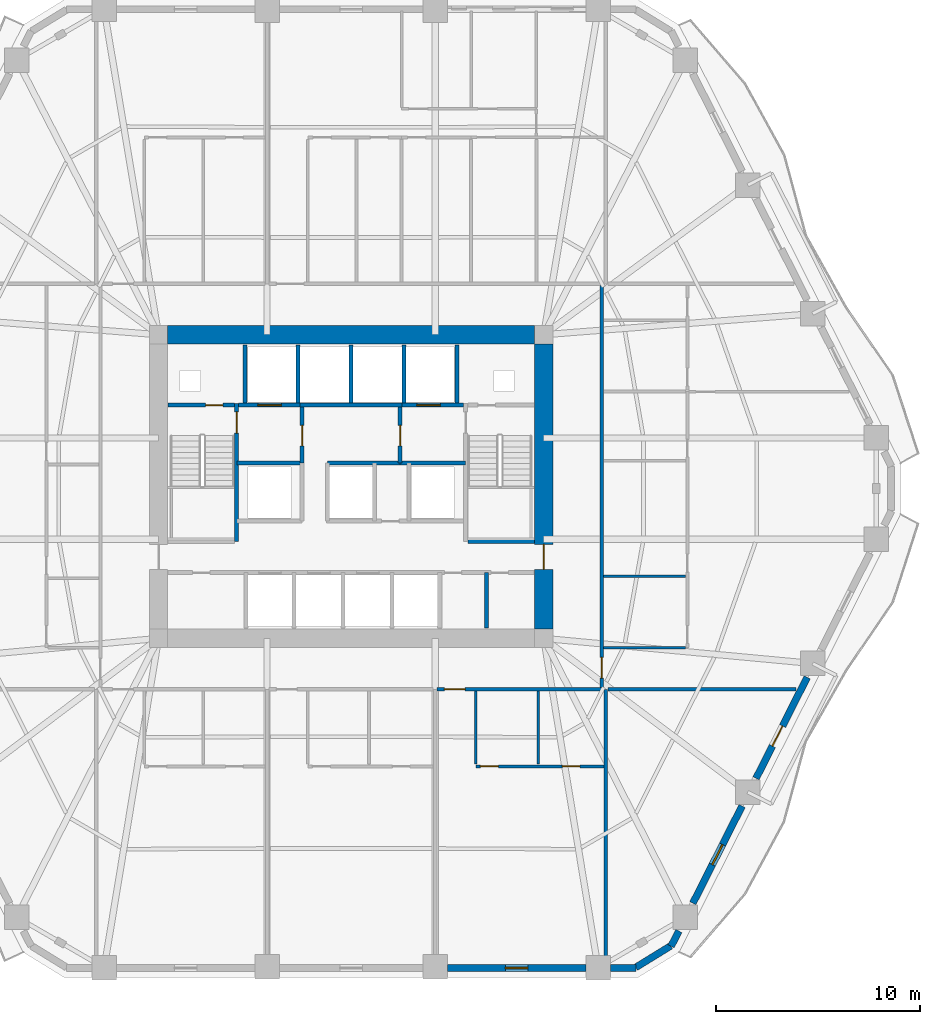
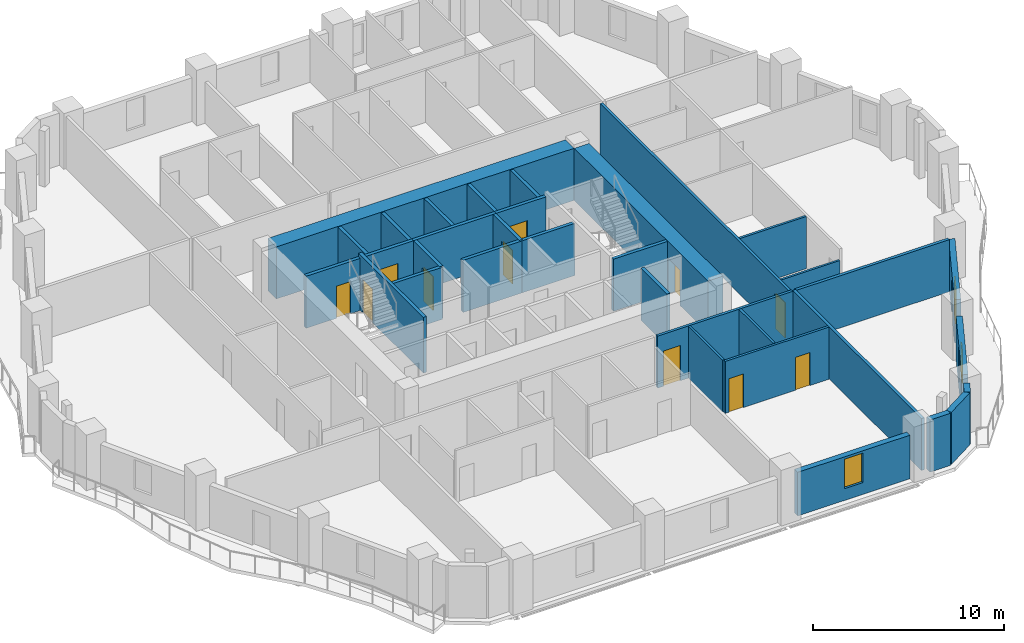
# One storey, part 5 of 11: 34 walls, 12 doors, 2 windows, 14 openings.
"""IFC4 building model written with IfcOpenShell, lengths in metres."""

from ifc_helpers import new_model, si_unit, direction, frame, frame_2d, origin, place, context, subcontext, project, spatial, rectangle, extrude, material, layer, layer_set, type_object, element, fill, save


model = new_model("IFC4")

# Units and contexts
model_context = context("Model", 3, precision=1e-05, world=origin(), true_north=direction((0.0, 1.0)))
body_context = subcontext(model_context, "Body", "Model", "MODEL_VIEW")
ifc_project = project(units=[si_unit("LENGTHUNIT", "METRE"), si_unit("AREAUNIT", "SQUARE_METRE"), si_unit("VOLUMEUNIT", "CUBIC_METRE"), si_unit("PLANEANGLEUNIT", "RADIAN"), si_unit("MASSUNIT", "GRAM", prefix="KILO")], contexts=[model_context])

# Site, building, storey
site_placement = place(None, origin())
site = spatial("IfcSite", under=ifc_project, at=site_placement, CompositionType="ELEMENT")
building_placement = place(site_placement, origin())
building = spatial("IfcBuilding", under=site, at=building_placement, Name="Cinnabar Lancet Tower", CompositionType="ELEMENT")
storey_placement = place(building_placement, frame((0.0, 0.0, 60.39990234375)))
storey = spatial("IfcBuildingStorey", under=building, at=storey_placement, Name="L15", CompositionType="ELEMENT", Elevation=60.39990234375)

# Wall, opening, door
ifc_material_1 = material(Name="Acoustic twin-stud gypsum partition", Category="gypsum")
ifc_layer_1 = layer(ifc_material_1, 0.159912109375)
ifc_layer_set_1 = layer_set([ifc_layer_1], Name="Acoustic twin-stud gypsum partition")
wall_type_1 = type_object("IfcWallType", Name="ARC-WL-CORR-160", PredefinedType="PARTITIONING", material=ifc_layer_set_1)
wall_1_placement = place(storey_placement, frame((36.616943359375, 15.949951171875, 0.0), z_axis=(0.0, 0.0, 1.0), x_axis=(1.0, 0.0, 0.0)))
wall_1 = element("IfcWall", 1, at=wall_1_placement, inside=storey, type_object=wall_type_1, Name="L15 Unit S03 Corridor Wall", PredefinedType="PARTITIONING", context=body_context, shape_type="SweptSolid", body=[
    extrude(rectangle(XDim=8.18798828125, YDim=0.159912109375, at=frame_2d((4.093994140625, 0.0))), origin(), (0.0, 0.0, 1.0), 3.330078125),
])
opening_1_placement = place(wall_1_placement, frame((0.35498046875, 0.0, 0.0)))
opening_1 = element("IfcOpeningElement", 2, at=opening_1_placement, cuts=wall_1, Name="Opening UD-01", PredefinedType="OPENING", context=body_context, shape_type="SweptSolid", body=[
    extrude(rectangle(XDim=1.02001953125, YDim=2.25, at=frame_2d((0.510009765625, 1.125))), frame((0.0, 0.08984375, 0.0), z_axis=(0.0, -1.0, 0.0), x_axis=(1.0, 0.0, 0.0)), (0.0, 0.0, 1.0), 0.179931640625),
])
ifc_material_2 = material(Name="Solid timber fire-rated apartment entrance door", Category="wood")
door_type_1 = type_object("IfcDoorType", Name="ARC-DR-UNIT", OperationType="NOTDEFINED", PredefinedType="DOOR", material=ifc_material_2)
door_1_placement = place(opening_1_placement, origin())
door_1 = element("IfcDoor", 3, at=door_1_placement, inside=storey, type_object=door_type_1, Name="DR-L15-S03-ENT", OperationType="SINGLE_SWING_RIGHT", OverallHeight=2.25, OverallWidth=1.02001953125, PredefinedType="DOOR", context=body_context, shape_type="SweptSolid", body=[
    extrude(rectangle(XDim=1.02001953125, YDim=2.25, at=frame_2d((0.510009765625, 1.125))), frame((0.0, 0.02490234375, 0.0), z_axis=(0.0, -1.0, 0.0), x_axis=(1.0, 0.0, 0.0)), (0.0, 0.0, 1.0), 0.050048828125),
])
fill(opening_1, door_1)

wall_2_placement = place(storey_placement, frame((44.699951171875, 16.044921875, 0.0), z_axis=(0.0, 0.0, 1.0), x_axis=(0.0, 1.0, 0.0)))
wall_2 = element("IfcWall", 4, at=wall_2_placement, inside=storey, type_object=wall_type_1, Name="UW-L15-E01-COR", PredefinedType="PARTITIONING", context=body_context, shape_type="SweptSolid", body=[
    extrude(rectangle(XDim=19.7099609375, YDim=0.159912109375, at=frame_2d((9.85498046875, 0.0))), origin(), (0.0, 0.0, 1.0), 3.330078125),
])
opening_2_placement = place(wall_2_placement, frame((0.449951171875, 0.0, 0.0)))
opening_2 = element("IfcOpeningElement", 5, at=opening_2_placement, cuts=wall_2, Name="Opening UD-01", PredefinedType="OPENING", context=body_context, shape_type="SweptSolid", body=[
    extrude(rectangle(XDim=1.02001953125, YDim=2.25, at=frame_2d((0.510009765625, 1.125))), frame((0.0, 0.08984375, 0.0), z_axis=(0.0, -1.0, 0.0), x_axis=(1.0, 0.0, 0.0)), (0.0, 0.0, 1.0), 0.179931640625),
])
door_2_placement = place(opening_2_placement, origin())
door_2 = element("IfcDoor", 6, at=door_2_placement, inside=storey, type_object=door_type_1, Name="DR-L15-E01-ENT", OperationType="SINGLE_SWING_LEFT", OverallHeight=2.25, OverallWidth=1.02001953125, PredefinedType="DOOR", context=body_context, shape_type="SweptSolid", body=[
    extrude(rectangle(XDim=1.02001953125, YDim=2.25, at=frame_2d((0.510009765625, 1.125))), frame((0.0, 0.02490234375, 0.0), z_axis=(0.0, -1.0, 0.0), x_axis=(1.0, 0.0, 0.0)), (0.0, 0.0, 1.0), 0.050048828125),
])
fill(opening_2, door_2)

# Walls
ifc_material_3 = material(Name="Fire-rated twin-frame acoustic drywall", Category="gypsum")
ifc_layer_2 = layer(ifc_material_3, 0.179931640625)
ifc_layer_set_2 = layer_set([ifc_layer_2], Name="Fire-rated twin-frame acoustic drywall")
wall_type_2 = type_object("IfcWallType", Name="ARC-WL-PARTY-180", PredefinedType="PARTITIONING", material=ifc_layer_set_2)
wall_3_placement = place(storey_placement, frame((44.89990234375, 2.455078125, 0.0), z_axis=(0.0, 0.0, 1.0), x_axis=(0.0, 1.0, 0.0)))
element("IfcWall", 7, at=wall_3_placement, inside=storey, type_object=wall_type_2, Name="PW-L15-SPTY-449", PredefinedType="PARTITIONING", context=body_context, shape_type="SweptSolid", body=[
    extrude(rectangle(XDim=13.494873046875, YDim=0.179931640625, at=frame_2d((6.74755859375, 0.0))), origin(), (0.0, 0.0, 1.0), 3.330078125),
])
wall_4_placement = place(storey_placement, frame((44.9951171875, 15.949951171875, 0.0), z_axis=(0.0, 0.0, 1.0), x_axis=(1.0, 0.0, 0.0)))
element("IfcWall", 8, at=wall_4_placement, inside=storey, type_object=wall_type_2, Name="PW-L15-ESB", PredefinedType="PARTITIONING", context=body_context, shape_type="SweptSolid", body=[
    extrude(rectangle(XDim=9.240966796875, YDim=0.179931640625, at=frame_2d((4.62060546875, 0.0))), origin(), (0.0, 0.0, 1.0), 3.330078125),
])
ifc_material_4 = material(Name="Autoclaved aerated concrete blockwork", Category="masonry")
ifc_layer_3 = layer(ifc_material_4, 0.199951171875)
ifc_layer_set_3 = layer_set([ifc_layer_3], Name="Autoclaved aerated concrete blockwork")
wall_type_3 = type_object("IfcWallType", Name="ARC-WL-SHAFT-200", PredefinedType="PLUMBINGWALL", material=ifc_layer_set_3)
wall_5_placement = place(storey_placement, frame((38.125, 23.199951171875, 0.0), z_axis=(0.0, 0.0, 1.0), x_axis=(1.0, 0.0, 0.0)))
element("IfcWall", 9, at=wall_5_placement, inside=storey, type_object=wall_type_3, Name="CW-ST2S-L15", PredefinedType="PLUMBINGWALL", context=body_context, shape_type="SweptSolid", body=[
    extrude(rectangle(XDim=3.27001953125, YDim=0.199951171875, at=frame_2d((1.635009765625, 0.0))), origin(), (0.0, 0.0, 1.0), 3.330078125),
])

# Wall, opening, door
wall_6_placement = place(storey_placement, frame((23.405029296875, 29.89990234375, 0.0), z_axis=(0.0, 0.0, 1.0), x_axis=(1.0, 0.0, 0.0)))
wall_6 = element("IfcWall", 10, at=wall_6_placement, inside=storey, type_object=wall_type_3, Name="CW-NSH-W-L15", PredefinedType="PLUMBINGWALL", context=body_context, shape_type="SweptSolid", body=[
    extrude(rectangle(XDim=3.27001953125, YDim=0.199951171875, at=frame_2d((1.635009765625, 0.0))), origin(), (0.0, 0.0, 1.0), 3.330078125),
])
opening_3_placement = place(wall_6_placement, frame((1.85009765625, 0.0, 0.0)))
opening_3 = element("IfcOpeningElement", 11, at=opening_3_placement, cuts=wall_6, Name="Opening PD-02", PredefinedType="OPENING", context=body_context, shape_type="SweptSolid", body=[
    extrude(rectangle(XDim=0.85009765625, YDim=2.050048828125, at=frame_2d((0.425048828125, 1.02490234375))), frame((0.0, 0.10986328125, 0.0), z_axis=(0.0, -1.0, 0.0), x_axis=(1.0, 0.0, 0.0)), (0.0, 0.0, 1.0), 0.219970703125),
])
ifc_material_5 = material(Name="Fire-rated steel riser access door", Category="steel")
door_type_2 = type_object("IfcDoorType", Name="ARC-DR-RISER", OperationType="NOTDEFINED", PredefinedType="DOOR", material=ifc_material_5)
door_3_placement = place(opening_3_placement, origin())
door_3 = element("IfcDoor", 12, at=door_3_placement, inside=storey, type_object=door_type_2, Name="L15 West Riser Access Door", OperationType="SINGLE_SWING_LEFT", OverallHeight=2.050048828125, OverallWidth=0.85009765625, PredefinedType="DOOR", context=body_context, shape_type="SweptSolid", body=[
    extrude(rectangle(XDim=0.85009765625, YDim=2.050048828125, at=frame_2d((0.425048828125, 1.02490234375))), frame((0.0, 0.02490234375, 0.0), z_axis=(0.0, -1.0, 0.0), x_axis=(1.0, 0.0, 0.0)), (0.0, 0.0, 1.0), 0.050048828125),
])
fill(opening_3, door_3)

wall_7_placement = place(storey_placement, frame((26.885009765625, 29.89990234375, 0.0), z_axis=(0.0, 0.0, 1.0), x_axis=(1.0, 0.0, 0.0)))
wall_7 = element("IfcWall", 13, at=wall_7_placement, inside=storey, type_object=wall_type_3, Name="CW-FL1-L15", PredefinedType="PLUMBINGWALL", context=body_context, shape_type="SweptSolid", body=[
    extrude(rectangle(XDim=3.014892578125, YDim=0.199951171875, at=frame_2d((1.50732421875, 0.0))), origin(), (0.0, 0.0, 1.0), 3.330078125),
])
opening_4_placement = place(wall_7_placement, frame((0.93994140625, 0.0, 0.0)))
opening_4 = element("IfcOpeningElement", 14, at=opening_4_placement, cuts=wall_7, Name="Opening LD-02", PredefinedType="OPENING", context=body_context, shape_type="SweptSolid", body=[
    extrude(rectangle(XDim=1.14990234375, YDim=2.199951171875, at=frame_2d((0.574951171875, 1.10009765625))), frame((0.0, 0.10986328125, 0.0), z_axis=(0.0, -1.0, 0.0), x_axis=(1.0, 0.0, 0.0)), (0.0, 0.0, 1.0), 0.219970703125),
])
ifc_material_6 = material(Name="Fire-rated stainless steel firefighting lift landing door", Category="steel")
door_type_3 = type_object("IfcDoorType", Name="ARC-DR-LD-FIRE", OperationType="NOTDEFINED", PredefinedType="DOOR", material=ifc_material_6)
door_4_placement = place(opening_4_placement, origin())
door_4 = element("IfcDoor", 15, at=door_4_placement, inside=storey, type_object=door_type_3, Name="L15 Firefighting Lift FL-1 Landing Door", OperationType="DOUBLE_DOOR_SLIDING", OverallHeight=2.199951171875, OverallWidth=1.14990234375, PredefinedType="DOOR", context=body_context, shape_type="SweptSolid", body=[
    extrude(rectangle(XDim=1.14990234375, YDim=2.199951171875, at=frame_2d((0.574951171875, 1.10009765625))), frame((0.0, 0.02490234375, 0.0), z_axis=(0.0, -1.0, 0.0), x_axis=(1.0, 0.0, 0.0)), (0.0, 0.0, 1.0), 0.050048828125),
])
fill(opening_4, door_4)

# Wall
wall_8_placement = place(storey_placement, frame((29.89990234375, 29.89990234375, 0.0), z_axis=(0.0, 0.0, 1.0), x_axis=(1.0, 0.0, 0.0)))
element("IfcWall", 16, at=wall_8_placement, inside=storey, type_object=wall_type_3, Name="CW-PL78-L15", PredefinedType="PLUMBINGWALL", context=body_context, shape_type="SweptSolid", body=[
    extrude(rectangle(XDim=5.0, YDim=0.199951171875, at=frame_2d((2.5, 0.0))), origin(), (0.0, 0.0, 1.0), 3.330078125),
])

# Wall, opening, door
wall_9_placement = place(storey_placement, frame((34.89990234375, 29.89990234375, 0.0), z_axis=(0.0, 0.0, 1.0), x_axis=(1.0, 0.0, 0.0)))
wall_9 = element("IfcWall", 17, at=wall_9_placement, inside=storey, type_object=wall_type_3, Name="CW-FL2-L15", PredefinedType="PLUMBINGWALL", context=body_context, shape_type="SweptSolid", body=[
    extrude(rectangle(XDim=3.01513671875, YDim=0.199951171875, at=frame_2d((1.507568359375, 0.0))), origin(), (0.0, 0.0, 1.0), 3.330078125),
])
opening_5_placement = place(wall_9_placement, frame((0.72509765625, 0.0, 0.0)))
opening_5 = element("IfcOpeningElement", 18, at=opening_5_placement, cuts=wall_9, Name="Opening LD-02", PredefinedType="OPENING", context=body_context, shape_type="SweptSolid", body=[
    extrude(rectangle(XDim=1.14990234375, YDim=2.199951171875, at=frame_2d((0.574951171875, 1.10009765625))), frame((0.0, 0.10986328125, 0.0), z_axis=(0.0, -1.0, 0.0), x_axis=(1.0, 0.0, 0.0)), (0.0, 0.0, 1.0), 0.219970703125),
])
door_5_placement = place(opening_5_placement, origin())
door_5 = element("IfcDoor", 19, at=door_5_placement, inside=storey, type_object=door_type_3, Name="L15 Firefighting Lift FL-2 Landing Door", OperationType="DOUBLE_DOOR_SLIDING", OverallHeight=2.199951171875, OverallWidth=1.14990234375, PredefinedType="DOOR", context=body_context, shape_type="SweptSolid", body=[
    extrude(rectangle(XDim=1.14990234375, YDim=2.199951171875, at=frame_2d((0.574951171875, 1.10009765625))), frame((0.0, 0.02490234375, 0.0), z_axis=(0.0, -1.0, 0.0), x_axis=(1.0, 0.0, 0.0)), (0.0, 0.0, 1.0), 0.050048828125),
])
fill(opening_5, door_5)

# Walls
for number, where, z_axis, x_axis, name in (
    (20, (27.199951171875, 30.0, 0.0), (0.0, 0.0, 1.0), (0.0, 1.0, 0.0), "CW-NSH-D1-L15"),
    (21, (29.800048828125, 30.0, 0.0), (0.0, 0.0, 1.0), (0.0, 1.0, 0.0), "CW-NSH-D2-L15"),
    (22, (32.39990234375, 30.0, 0.0), (0.0, 0.0, 1.0), (0.0, 1.0, 0.0), "CW-NSH-D3-L15"),
    (23, (35.0, 30.0, 0.0), (0.0, 0.0, 1.0), (0.0, 1.0, 0.0), "CW-NSH-D4-L15"),
    (24, (37.60009765625, 30.0, 0.0), (0.0, 0.0, 1.0), (0.0, 1.0, 0.0), "CW-NSH-D5-L15"),
):
    element("IfcWall", number, at=place(storey_placement, frame(where, z_axis=z_axis, x_axis=x_axis)), inside=storey, type_object=wall_type_3, Name=name, PredefinedType="PLUMBINGWALL", context=body_context, shape_type="SweptSolid", body=[
        extrude(rectangle(XDim=2.85009765625, YDim=0.199951171875, at=frame_2d((1.425048828125, 0.0))), origin(), (0.0, 0.0, 1.0), 3.330078125),
    ])

# Wall, opening, door
wall_10_placement = place(storey_placement, frame((30.0, 27.050048828125, 0.0), z_axis=(0.0, 0.0, 1.0), x_axis=(0.0, 1.0, 0.0)))
wall_10 = element("IfcWall", 25, at=wall_10_placement, inside=storey, type_object=wall_type_3, Name="CW-FF1E-L15", PredefinedType="PLUMBINGWALL", context=body_context, shape_type="SweptSolid", body=[
    extrude(rectangle(XDim=2.75, YDim=0.199951171875, at=frame_2d((1.375, 0.0))), origin(), (0.0, 0.0, 1.0), 3.330078125),
])
opening_6_placement = place(wall_10_placement, frame((0.85009765625, 0.0, 0.0)))
opening_6 = element("IfcOpeningElement", 26, at=opening_6_placement, cuts=wall_10, Name="Opening FD-01", PredefinedType="OPENING", context=body_context, shape_type="SweptSolid", body=[
    extrude(rectangle(XDim=1.0, YDim=2.14990234375, at=frame_2d((0.5, 1.074951171875))), frame((0.0, 0.10986328125, 0.0), z_axis=(0.0, -1.0, 0.0), x_axis=(1.0, 0.0, 0.0)), (0.0, 0.0, 1.0), 0.219970703125),
])
ifc_material_7 = material(Name="Fire-rated timber-core lobby door", Category="wood")
door_type_4 = type_object("IfcDoorType", Name="ARC-DR-FFAL", OperationType="NOTDEFINED", PredefinedType="DOOR", material=ifc_material_7)
door_6_placement = place(opening_6_placement, origin())
door_6 = element("IfcDoor", 27, at=door_6_placement, inside=storey, type_object=door_type_4, Name="L15 FFAL-1 Lobby Fire Door", OperationType="SINGLE_SWING_RIGHT", OverallHeight=2.14990234375, OverallWidth=1.0, PredefinedType="DOOR", context=body_context, shape_type="SweptSolid", body=[
    extrude(rectangle(XDim=1.0, YDim=2.14990234375, at=frame_2d((0.5, 1.074951171875))), frame((0.0, 0.02490234375, 0.0), z_axis=(0.0, -1.0, 0.0), x_axis=(1.0, 0.0, 0.0)), (0.0, 0.0, 1.0), 0.050048828125),
])
fill(opening_6, door_6)

# Wall
wall_11_placement = place(storey_placement, frame((26.800048828125, 27.050048828125, 0.0), z_axis=(0.0, 0.0, 1.0), x_axis=(1.0, 0.0, 0.0)))
element("IfcWall", 28, at=wall_11_placement, inside=storey, type_object=wall_type_3, Name="CW-FF1S-L15", PredefinedType="PLUMBINGWALL", context=body_context, shape_type="SweptSolid", body=[
    extrude(rectangle(XDim=3.199951171875, YDim=0.199951171875, at=frame_2d((1.60009765625, 0.0))), origin(), (0.0, 0.0, 1.0), 3.330078125),
])

# Wall, opening, door
wall_12_placement = place(storey_placement, frame((34.800048828125, 27.050048828125, 0.0), z_axis=(0.0, 0.0, 1.0), x_axis=(0.0, 1.0, 0.0)))
wall_12 = element("IfcWall", 29, at=wall_12_placement, inside=storey, type_object=wall_type_3, Name="CW-FF2W-L15", PredefinedType="PLUMBINGWALL", context=body_context, shape_type="SweptSolid", body=[
    extrude(rectangle(XDim=2.75, YDim=0.199951171875, at=frame_2d((1.375, 0.0))), origin(), (0.0, 0.0, 1.0), 3.330078125),
])
opening_7_placement = place(wall_12_placement, frame((0.85009765625, 0.0, 0.0)))
opening_7 = element("IfcOpeningElement", 30, at=opening_7_placement, cuts=wall_12, Name="Opening FD-01", PredefinedType="OPENING", context=body_context, shape_type="SweptSolid", body=[
    extrude(rectangle(XDim=1.0, YDim=2.14990234375, at=frame_2d((0.5, 1.074951171875))), frame((0.0, 0.10986328125, 0.0), z_axis=(0.0, -1.0, 0.0), x_axis=(1.0, 0.0, 0.0)), (0.0, 0.0, 1.0), 0.219970703125),
])
door_7_placement = place(opening_7_placement, origin())
door_7 = element("IfcDoor", 31, at=door_7_placement, inside=storey, type_object=door_type_4, Name="L15 FFAL-2 Lobby Fire Door", OperationType="SINGLE_SWING_LEFT", OverallHeight=2.14990234375, OverallWidth=1.0, PredefinedType="DOOR", context=body_context, shape_type="SweptSolid", body=[
    extrude(rectangle(XDim=1.0, YDim=2.14990234375, at=frame_2d((0.5, 1.074951171875))), frame((0.0, 0.02490234375, 0.0), z_axis=(0.0, -1.0, 0.0), x_axis=(1.0, 0.0, 0.0)), (0.0, 0.0, 1.0), 0.050048828125),
])
fill(opening_7, door_7)

# Walls
wall_13_placement = place(storey_placement, frame((34.800048828125, 27.050048828125, 0.0), z_axis=(0.0, 0.0, 1.0), x_axis=(1.0, 0.0, 0.0)))
element("IfcWall", 32, at=wall_13_placement, inside=storey, type_object=wall_type_3, Name="CW-FF2S-L15", PredefinedType="PLUMBINGWALL", context=body_context, shape_type="SweptSolid", body=[
    extrude(rectangle(XDim=3.199951171875, YDim=0.199951171875, at=frame_2d((1.60009765625, 0.0))), origin(), (0.0, 0.0, 1.0), 3.330078125),
])
wall_14_placement = place(storey_placement, frame((31.25, 27.050048828125, 0.0), z_axis=(0.0, 0.0, 1.0), x_axis=(1.0, 0.0, 0.0)))
element("IfcWall", 33, at=wall_14_placement, inside=storey, type_object=wall_type_3, Name="CW-PL96N-L15", PredefinedType="PLUMBINGWALL", context=body_context, shape_type="SweptSolid", body=[
    extrude(rectangle(XDim=3.550048828125, YDim=0.199951171875, at=frame_2d((1.77490234375, 0.0))), origin(), (0.0, 0.0, 1.0), 3.330078125),
])
wall_15_placement = place(storey_placement, frame((39.050048828125, 18.949951171875, 0.0), z_axis=(0.0, 0.0, 1.0), x_axis=(0.0, 1.0, 0.0)))
element("IfcWall", 34, at=wall_15_placement, inside=storey, type_object=wall_type_3, Name="CW-SB-SE-L15", PredefinedType="PLUMBINGWALL", context=body_context, shape_type="SweptSolid", body=[
    extrude(rectangle(XDim=2.72998046875, YDim=0.199951171875, at=frame_2d((1.364990234375, 0.0))), origin(), (0.0, 0.0, 1.0), 3.330078125),
])
ifc_material_8 = material(Name="Gypsum plasterboard stud partition", Category="gypsum")
ifc_layer_4 = layer(ifc_material_8, 0.125)
ifc_layer_set_4 = layer_set([ifc_layer_4], Name="Gypsum plasterboard stud partition")
wall_type_4 = type_object("IfcWallType", Name="ARC-WL-UNIT-125", PredefinedType="PARTITIONING", material=ifc_layer_set_4)
wall_16_placement = place(storey_placement, frame((38.52197265625, 12.27587890625, 0.0), z_axis=(0.0, 0.0, 1.0), x_axis=(0.0, 1.0, 0.0)))
element("IfcWall", 35, at=wall_16_placement, inside=storey, type_object=wall_type_4, Name="UW-L15-S03-FOYE", PredefinedType="PARTITIONING", context=body_context, shape_type="SweptSolid", body=[
    extrude(rectangle(XDim=3.589111328125, YDim=0.125, at=frame_2d((1.79443359375, 0.0))), origin(), (0.0, 0.0, 1.0), 3.330078125),
])
wall_17_placement = place(storey_placement, frame((44.784912109375, 18.0, 0.0), z_axis=(0.0, 0.0, 1.0), x_axis=(1.0, 0.0, 0.0)))
element("IfcWall", 36, at=wall_17_placement, inside=storey, type_object=wall_type_4, Name="UW-L15-E01-FOYN", PredefinedType="PARTITIONING", context=body_context, shape_type="SweptSolid", body=[
    extrude(rectangle(XDim=4.030029296875, YDim=0.125, at=frame_2d((2.01513671875, 0.0))), origin(), (0.0, 0.0, 1.0), 2.635986328125),
])

# Wall, openings, doors
ifc_material_9 = material(Name="Moisture-resistant cement-board plumbing wall", Category="masonry")
ifc_layer_5 = layer(ifc_material_9, 0.139892578125)
ifc_layer_set_5 = layer_set([ifc_layer_5], Name="Moisture-resistant cement-board plumbing wall")
wall_type_5 = type_object("IfcWallType", Name="ARC-WL-WET-140", PredefinedType="PLUMBINGWALL", material=ifc_layer_set_5)
wall_18_placement = place(storey_placement, frame((38.52197265625, 12.1708984375, 0.0), z_axis=(0.0, 0.0, 1.0), x_axis=(1.0, 0.0, 0.0)))
wall_18 = element("IfcWall", 37, at=wall_18_placement, inside=storey, type_object=wall_type_5, Name="UW-L15-S03-SPL", PredefinedType="PLUMBINGWALL", context=body_context, shape_type="SweptSolid", body=[
    extrude(rectangle(XDim=6.282958984375, YDim=0.139892578125, at=frame_2d((3.1416015625, 0.0))), origin(), (0.0, 0.0, 1.0), 3.330078125),
])
opening_8_placement = place(wall_18_placement, frame((4.2470703125, 0.0, 0.0)))
opening_8 = element("IfcOpeningElement", 38, at=opening_8_placement, cuts=wall_18, Name="Opening BD-01", PredefinedType="OPENING", context=body_context, shape_type="SweptSolid", body=[
    extrude(rectangle(XDim=0.860107421875, YDim=2.10009765625, at=frame_2d((0.43017578125, 1.050048828125))), frame((0.0, 0.079833984375, 0.0), z_axis=(0.0, -1.0, 0.0), x_axis=(1.0, 0.0, 0.0)), (0.0, 0.0, 1.0), 0.159912109375),
])
opening_9_placement = place(wall_18_placement, frame((0.219970703125, 0.0, 0.0)))
opening_9 = element("IfcOpeningElement", 39, at=opening_9_placement, cuts=wall_18, Name="Opening RD-02", PredefinedType="OPENING", context=body_context, shape_type="SweptSolid", body=[
    extrude(rectangle(XDim=0.8798828125, YDim=2.14990234375, at=frame_2d((0.43994140625, 1.074951171875))), frame((0.0, 0.079833984375, 0.0), z_axis=(0.0, -1.0, 0.0), x_axis=(1.0, 0.0, 0.0)), (0.0, 0.0, 1.0), 0.159912109375),
])
ifc_material_10 = material(Name="Moisture-resistant timber bathroom door", Category="wood")
door_type_5 = type_object("IfcDoorType", Name="ARC-DR-BATH", OperationType="NOTDEFINED", PredefinedType="DOOR", material=ifc_material_10)
door_8_placement = place(opening_8_placement, origin())
door_8 = element("IfcDoor", 40, at=door_8_placement, inside=storey, type_object=door_type_5, Name="DR-L15-S03-BTH", OperationType="SINGLE_SWING_RIGHT", OverallHeight=2.10009765625, OverallWidth=0.860107421875, PredefinedType="DOOR", context=body_context, shape_type="SweptSolid", body=[
    extrude(rectangle(XDim=0.860107421875, YDim=2.10009765625, at=frame_2d((0.43017578125, 1.050048828125))), frame((0.0, 0.02490234375, 0.0), z_axis=(0.0, -1.0, 0.0), x_axis=(1.0, 0.0, 0.0)), (0.0, 0.0, 1.0), 0.050048828125),
])
fill(opening_8, door_8)
ifc_material_11 = material(Name="Engineered timber study door", Category="wood")
door_type_6 = type_object("IfcDoorType", Name="ARC-DR-STUDY", OperationType="NOTDEFINED", PredefinedType="DOOR", material=ifc_material_11)
door_9_placement = place(opening_9_placement, origin())
door_9 = element("IfcDoor", 41, at=door_9_placement, inside=storey, type_object=door_type_6, Name="DR-L15-S03-KIT", OperationType="SINGLE_SWING_LEFT", OverallHeight=2.14990234375, OverallWidth=0.8798828125, PredefinedType="DOOR", context=body_context, shape_type="SweptSolid", body=[
    extrude(rectangle(XDim=0.8798828125, YDim=2.14990234375, at=frame_2d((0.43994140625, 1.074951171875))), frame((0.0, 0.02490234375, 0.0), z_axis=(0.0, -1.0, 0.0), x_axis=(1.0, 0.0, 0.0)), (0.0, 0.0, 1.0), 0.050048828125),
])
fill(opening_9, door_9)

# Walls
wall_19_placement = place(storey_placement, frame((41.5830078125, 12.27587890625, 0.0), z_axis=(0.0, 0.0, 1.0), x_axis=(0.0, 1.0, 0.0)))
element("IfcWall", 42, at=wall_19_placement, inside=storey, type_object=wall_type_5, Name="UW-L15-S03-KDV", PredefinedType="PLUMBINGWALL", context=body_context, shape_type="SweptSolid", body=[
    extrude(rectangle(XDim=3.589111328125, YDim=0.139892578125, at=frame_2d((1.79443359375, 0.0))), origin(), (0.0, 0.0, 1.0), 3.330078125),
])
wall_20_placement = place(storey_placement, frame((44.784912109375, 21.5, 0.0), z_axis=(0.0, 0.0, 1.0), x_axis=(1.0, 0.0, 0.0)))
element("IfcWall", 43, at=wall_20_placement, inside=storey, type_object=wall_type_5, Name="UW-L15-E01-KDV", PredefinedType="PLUMBINGWALL", context=body_context, shape_type="SweptSolid", body=[
    extrude(rectangle(XDim=4.030029296875, YDim=0.139892578125, at=frame_2d((2.01513671875, 0.0))), origin(), (0.0, 0.0, 1.0), 3.330078125),
])
ifc_material_12 = material(Name="Cinnabar red clay brick", Category="masonry")
ifc_layer_6 = layer(ifc_material_12, 0.340087890625)
ifc_layer_set_6 = layer_set([ifc_layer_6], Name="Cinnabar red clay brick")
wall_type_6 = type_object("IfcWallType", Name="ENV-WL-BRK-RED-340", PredefinedType="STANDARD", material=ifc_layer_set_6)
wall_21_placement = place(storey_placement, frame((46.361083984375, 2.304931640625, 0.0), z_axis=(0.0, 0.0, 1.0), x_axis=(0.851816122478, 0.523840904748, 0.0)))
element("IfcWall", 44, at=wall_21_placement, inside=storey, type_object=wall_type_6, Name="L15 Chamfered Corner Brick Pier 2.1", PredefinedType="STANDARD", context=body_context, shape_type="SweptSolid", body=[
    extrude(rectangle(XDim=2.01806640625, YDim=0.340087890625, at=frame_2d((1.009033203125, 0.0))), origin(), (0.0, 0.0, 1.0), 3.330078125),
])

# Wall, opening, window
wall_22_placement = place(storey_placement, frame((37.1259765625, 2.280029296875, 0.0), z_axis=(0.0, 0.0, 1.0), x_axis=(1.0, 0.0, 0.0)))
wall_22 = element("IfcWall", 45, at=wall_22_placement, inside=storey, type_object=wall_type_6, Name="L15 Face 1 Masonry Bay Wall 4", PredefinedType="STANDARD", context=body_context, shape_type="SweptSolid", body=[
    extrude(rectangle(XDim=6.787109375, YDim=0.340087890625, at=frame_2d((3.3935546875, 0.0))), origin(), (0.0, 0.0, 1.0), 2.787109375),
])
opening_10_placement = place(wall_22_placement, frame((2.843017578125, 0.0, 0.75)))
opening_10 = element("IfcOpeningElement", 46, at=opening_10_placement, cuts=wall_22, Name="Opening WN-04", PredefinedType="OPENING", context=body_context, shape_type="SweptSolid", body=[
    extrude(rectangle(XDim=1.10009765625, YDim=1.886962890625, at=frame_2d((0.550048828125, 0.943359375))), frame((0.0, 0.179931640625, 0.0), z_axis=(0.0, -1.0, 0.0), x_axis=(1.0, 0.0, 0.0)), (0.0, 0.0, 1.0), 0.360107421875),
])
ifc_material_13 = material(Name="Thermally broken bronze-anodized aluminium tall lancet window", Category="aluminium")
window_type = type_object("IfcWindowType", Name="ENV-WN-LANCET-1100", PartitioningType="SINGLE_PANEL", PredefinedType="WINDOW", material=ifc_material_13)
window_1_placement = place(opening_10_placement, origin())
window_1 = element("IfcWindow", 47, at=window_1_placement, inside=storey, type_object=window_type, Name="L15 Face 1 Gothic Lancet Window 4", OverallHeight=1.886962890625, OverallWidth=1.10009765625, PartitioningType="SINGLE_PANEL", PredefinedType="WINDOW", context=body_context, shape_type="SweptSolid", body=[
    extrude(rectangle(XDim=1.10009765625, YDim=1.886962890625, at=frame_2d((0.550048828125, 0.943359375))), frame((0.0, 0.030029296875, 0.0), z_axis=(0.0, -1.0, 0.0), x_axis=(1.0, 0.0, 0.0)), (0.0, 0.0, 1.0), 0.06005859375),
])
fill(opening_10, window_1)

# Walls
wall_23_placement = place(storey_placement, frame((45.12109375, 2.280029296875, 0.0), z_axis=(0.0, 0.0, 1.0), x_axis=(1.0, 0.0, 0.0)))
element("IfcWall", 48, at=wall_23_placement, inside=storey, type_object=wall_type_6, Name="L15 Face 1 Masonry Bay Wall 5", PredefinedType="STANDARD", context=body_context, shape_type="SweptSolid", body=[
    extrude(rectangle(XDim=1.244873046875, YDim=0.340087890625, at=frame_2d((0.62255859375, 0.0))), origin(), (0.0, 0.0, 1.0), 3.330078125),
])
wall_24_placement = place(storey_placement, frame((48.10009765625, 3.345947265625, 0.0), z_axis=(0.0, 0.0, 1.0), x_axis=(0.45187807258, 0.892079709175, 0.0)))
element("IfcWall", 49, at=wall_24_placement, inside=storey, type_object=wall_type_6, Name="L15 Face 2 Masonry Bay Wall 1", PredefinedType="STANDARD", context=body_context, shape_type="SweptSolid", body=[
    extrude(rectangle(XDim=0.83642578125, YDim=0.340087890625, at=frame_2d((0.418212890625, 0.0))), origin(), (0.0, 0.0, 1.0), 3.330078125),
])

# Wall, opening, window
wall_25_placement = place(storey_placement, frame((49.166015625, 5.4541015625, 0.0), z_axis=(0.0, 0.0, 1.0), x_axis=(0.451697561555, 0.892171123095, 0.0)))
wall_25 = element("IfcWall", 50, at=wall_25_placement, inside=storey, type_object=wall_type_6, Name="L15 Face 2 Masonry Bay Wall 2", PredefinedType="STANDARD", context=body_context, shape_type="SweptSolid", body=[
    extrude(rectangle(XDim=5.350830078125, YDim=0.340087890625, at=frame_2d((2.67529296875, 0.0))), origin(), (0.0, 0.0, 1.0), 2.787109375),
])
opening_11_placement = place(wall_25_placement, frame((2.125, 0.0, 0.75)))
opening_11 = element("IfcOpeningElement", 51, at=opening_11_placement, cuts=wall_25, Name="Opening WN-04", PredefinedType="OPENING", context=body_context, shape_type="SweptSolid", body=[
    extrude(rectangle(XDim=1.10009765625, YDim=1.886962890625, at=frame_2d((0.550048828125, 0.943359375))), frame((0.0, 0.179931640625, 0.0), z_axis=(0.0, -1.0, 0.0), x_axis=(1.0, 0.0, 0.0)), (0.0, 0.0, 1.0), 0.360107421875),
])
window_2_placement = place(opening_11_placement, origin())
window_2 = element("IfcWindow", 52, at=window_2_placement, inside=storey, type_object=window_type, Name="L15 Face 2 Gothic Lancet Window 2", OverallHeight=1.886962890625, OverallWidth=1.10009765625, PartitioningType="SINGLE_PANEL", PredefinedType="WINDOW", context=body_context, shape_type="SweptSolid", body=[
    extrude(rectangle(XDim=1.10009765625, YDim=1.886962890625, at=frame_2d((0.550048828125, 0.943359375))), frame((0.0, 0.030029296875, 0.0), z_axis=(0.0, -1.0, 0.0), x_axis=(1.0, 0.0, 0.0)), (0.0, 0.0, 1.0), 0.06005859375),
])
fill(opening_11, window_2)

# Wall, opening, door
wall_26_placement = place(storey_placement, frame((52.27099609375, 11.590087890625, 0.0), z_axis=(0.0, 0.0, 1.0), x_axis=(0.451592100298, 0.892224509273, 0.0)))
wall_26 = element("IfcWall", 53, at=wall_26_placement, inside=storey, type_object=wall_type_6, Name="L15 Face 2 Masonry Bay Wall 3", PredefinedType="STANDARD", context=body_context, shape_type="SweptSolid", body=[
    extrude(rectangle(XDim=5.546875, YDim=0.340087890625, at=frame_2d((2.7734375, 0.0))), origin(), (0.0, 0.0, 1.0), 2.787109375),
])
opening_12_placement = place(wall_26_placement, frame((1.76806640625, 0.0, 0.0)))
opening_12 = element("IfcOpeningElement", 54, at=opening_12_placement, cuts=wall_26, Name="Opening TD-01", PredefinedType="OPENING", context=body_context, shape_type="SweptSolid", body=[
    extrude(rectangle(XDim=1.10009765625, YDim=2.25, at=frame_2d((0.550048828125, 1.125))), frame((0.0, 0.179931640625, 0.0), z_axis=(0.0, -1.0, 0.0), x_axis=(1.0, 0.0, 0.0)), (0.0, 0.0, 1.0), 0.360107421875),
])
ifc_material_14 = material(Name="Thermally broken low-E glazed balcony terrace door", Category="wood")
door_type_7 = type_object("IfcDoorType", Name="ARC-DR-BALC", OperationType="NOTDEFINED", PredefinedType="DOOR", material=ifc_material_14)
door_10_placement = place(opening_12_placement, origin())
door_10 = element("IfcDoor", 55, at=door_10_placement, inside=storey, type_object=door_type_7, Name="L15 Face 2 Glazed Terrace Door", OperationType="SINGLE_SWING_LEFT", OverallHeight=2.25, OverallWidth=1.10009765625, PredefinedType="DOOR", context=body_context, shape_type="SweptSolid", body=[
    extrude(rectangle(XDim=1.10009765625, YDim=2.25, at=frame_2d((0.550048828125, 1.125))), frame((0.0, 0.02490234375, 0.0), z_axis=(0.0, -1.0, 0.0), x_axis=(1.0, 0.0, 0.0)), (0.0, 0.0, 1.0), 0.050048828125),
])
fill(opening_12, door_10)

# Wall
ifc_material_15 = material(Name="Concrete C80/95", Category="concrete")
ifc_layer_7 = layer(ifc_material_15, 0.89990234375)
ifc_layer_set_7 = layer_set([ifc_layer_7], Name="Concrete C80/95")
wall_type_7 = type_object("IfcWallType", Name="STR-WL-CORE-900", PredefinedType="SHEAR", material=ifc_layer_set_7)
wall_27_placement = place(storey_placement, frame((23.39990234375, 33.35009765625, 0.0), z_axis=(0.0, 0.0, 1.0), x_axis=(1.0, 0.0, 0.0)))
element("IfcWall", 56, at=wall_27_placement, inside=storey, type_object=wall_type_7, Name="L15 Core Shear Wall N", PredefinedType="SHEAR", context=body_context, shape_type="SweptSolid", body=[
    extrude(rectangle(XDim=18.0, YDim=0.89990234375, at=frame_2d((9.0, 0.0))), origin(), (0.0, 0.0, 1.0), 3.330078125),
])

# Wall, opening, door
wall_28_placement = place(storey_placement, frame((41.85009765625, 18.89990234375, 0.0), z_axis=(0.0, 0.0, 1.0), x_axis=(0.0, 1.0, 0.0)))
wall_28 = element("IfcWall", 57, at=wall_28_placement, inside=storey, type_object=wall_type_7, Name="L15 Core Shear Wall E", PredefinedType="SHEAR", context=body_context, shape_type="SweptSolid", body=[
    extrude(rectangle(XDim=14.0, YDim=0.89990234375, at=frame_2d((7.0, 0.0))), origin(), (0.0, 0.0, 1.0), 3.330078125),
])
opening_13_placement = place(wall_28_placement, frame((2.93994140625, 0.0, 0.0)))
opening_13 = element("IfcOpeningElement", 58, at=opening_13_placement, cuts=wall_28, Name="Opening FD-02", PredefinedType="OPENING", context=body_context, shape_type="SweptSolid", body=[
    extrude(rectangle(XDim=1.219970703125, YDim=2.25, at=frame_2d((0.60986328125, 1.125))), frame((0.0, 0.4599609375, 0.0), z_axis=(0.0, -1.0, 0.0), x_axis=(1.0, 0.0, 0.0)), (0.0, 0.0, 1.0), 0.919921875),
])
ifc_material_16 = material(Name="Fire-rated double-vision core portal door", Category="wood")
door_type_8 = type_object("IfcDoorType", Name="ARC-DR-CPORT", OperationType="NOTDEFINED", PredefinedType="DOOR", material=ifc_material_16)
door_11_placement = place(opening_13_placement, origin())
door_11 = element("IfcDoor", 59, at=door_11_placement, inside=storey, type_object=door_type_8, Name="L15 East Core Lobby Fire Door", OperationType="SINGLE_SWING_LEFT", OverallHeight=2.25, OverallWidth=1.219970703125, PredefinedType="DOOR", context=body_context, shape_type="SweptSolid", body=[
    extrude(rectangle(XDim=1.219970703125, YDim=2.25, at=frame_2d((0.60986328125, 1.125))), frame((0.0, 0.02490234375, 0.0), z_axis=(0.0, -1.0, 0.0), x_axis=(1.0, 0.0, 0.0)), (0.0, 0.0, 1.0), 0.050048828125),
])
fill(opening_13, door_11)

ifc_material_17 = material(Name="Concrete C50/60", Category="concrete")
ifc_layer_8 = layer(ifc_material_17, 0.199951171875)
ifc_layer_set_8 = layer_set([ifc_layer_8], Name="Concrete C50/60")
wall_type_8 = type_object("IfcWallType", Name="STR-WL-STAIR-200", PredefinedType="SHEAR", material=ifc_layer_set_8)
wall_29_placement = place(storey_placement, frame((26.780029296875, 23.199951171875, 0.0), z_axis=(0.0, 0.0, 1.0), x_axis=(0.0, 1.0, 0.0)))
wall_29 = element("IfcWall", 60, at=wall_29_placement, inside=storey, type_object=wall_type_8, Name="L15 Stair ST-1 Structural Enclosure Wall", PredefinedType="SHEAR", context=body_context, shape_type="SweptSolid", body=[
    extrude(rectangle(XDim=6.780029296875, YDim=0.199951171875, at=frame_2d((3.39013671875, 0.0))), origin(), (0.0, 0.0, 1.0), 3.550048828125),
])
opening_14_placement = place(wall_29_placement, frame((5.320068359375, 0.0, 0.0)))
opening_14 = element("IfcOpeningElement", 61, at=opening_14_placement, cuts=wall_29, Name="Opening SD-01", PredefinedType="OPENING", context=body_context, shape_type="SweptSolid", body=[
    extrude(rectangle(XDim=1.050048828125, YDim=2.14990234375, at=frame_2d((0.52490234375, 1.074951171875))), frame((0.0, 0.10986328125, 0.0), z_axis=(0.0, -1.0, 0.0), x_axis=(1.0, 0.0, 0.0)), (0.0, 0.0, 1.0), 0.219970703125),
])
ifc_material_18 = material(Name="Fire-rated steel stair exit door", Category="steel")
door_type_9 = type_object("IfcDoorType", Name="ARC-DR-STAIR", OperationType="NOTDEFINED", PredefinedType="DOOR", material=ifc_material_18)
door_12_placement = place(opening_14_placement, origin())
door_12 = element("IfcDoor", 62, at=door_12_placement, inside=storey, type_object=door_type_9, Name="L15 Stair ST-1 Fire Door", OperationType="SINGLE_SWING_LEFT", OverallHeight=2.14990234375, OverallWidth=1.050048828125, PredefinedType="DOOR", context=body_context, shape_type="SweptSolid", body=[
    extrude(rectangle(XDim=1.050048828125, YDim=2.14990234375, at=frame_2d((0.52490234375, 1.074951171875))), frame((0.0, 0.02490234375, 0.0), z_axis=(0.0, -1.0, 0.0), x_axis=(1.0, 0.0, 0.0)), (0.0, 0.0, 1.0), 0.050048828125),
])
fill(opening_14, door_12)

save(model, "model.ifc")
